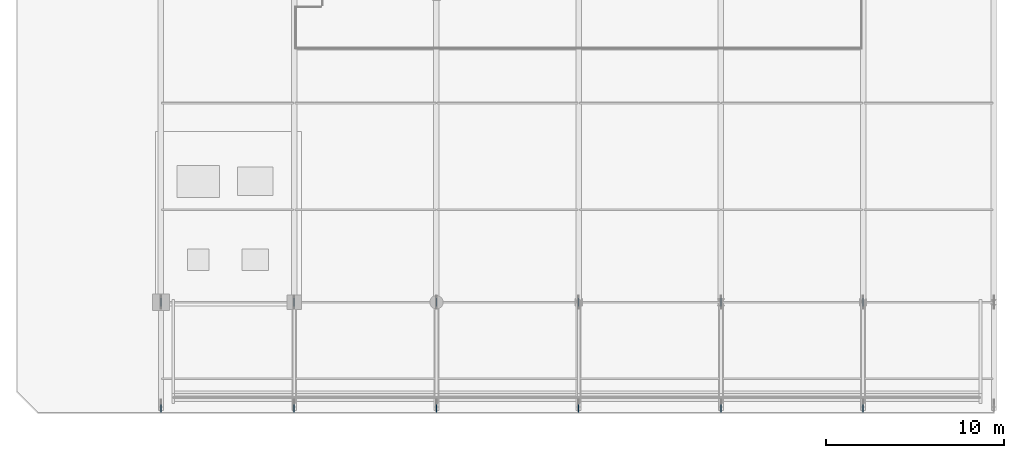
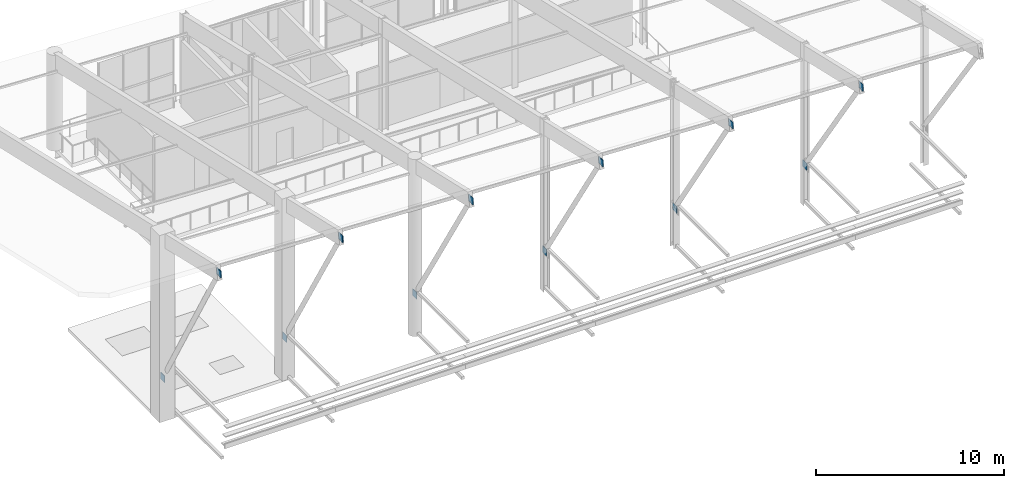
# One storey, part 41 of 51: 12 discrete accessories.
"""IFC4 building model written with IfcOpenShell, lengths in metres."""

from ifc_helpers import new_model, si_unit, direction, frame, origin, origin_2d, place, context, subcontext, project, spatial, rectangle, extrude, material, type_object, element, save


model = new_model("IFC4")

# Units and contexts
model_context = context("Model", 3, precision=1e-05, world=origin(), true_north=direction((0.0, 1.0)))
body_context = subcontext(model_context, "Body", "Model", "MODEL_VIEW")
ifc_project = project(units=[si_unit("LENGTHUNIT", "METRE"), si_unit("AREAUNIT", "SQUARE_METRE"), si_unit("VOLUMEUNIT", "CUBIC_METRE"), si_unit("PLANEANGLEUNIT", "RADIAN"), si_unit("MASSUNIT", "GRAM", prefix="KILO")], contexts=[model_context])

# Site, building, storey
site_placement = place(None, origin())
site = spatial("IfcSite", under=ifc_project, at=site_placement, CompositionType="ELEMENT")
building_placement = place(site_placement, origin())
building = spatial("IfcBuilding", under=site, at=building_placement, Name="Brisemont Oceanarium", CompositionType="ELEMENT")
storey_placement = place(building_placement, frame((0.0, 0.0, 15.0)))
storey = spatial("IfcBuildingStorey", under=building, at=storey_placement, Name="L03", CompositionType="ELEMENT", Elevation=15.0)

# Discrete accessories
ifc_material = material(Name="Structural Steel ASTM A572 Gr.50", Category="steel")
discrete_accessory_type = type_object("IfcDiscreteAccessoryType", Name="ACC-CAP-STL", PredefinedType="ANCHORPLATE", material=ifc_material)
for number, where, z_axis, x_axis, name in (
    (1, (8.5, 6.800048828125, 2.280029296875), (0.0, 0.0, 1.0), (1.0, 0.0, 0.0), "V2 overhang strut gusset connection 1 BASE"),
    (2, (8.5, 0.820068359375, 12.72265625), (0.0, 0.0, 1.0), (1.0, 0.0, 0.0), "V2 overhang strut gusset connection 1 TIP"),
    (3, (16.0, 6.800048828125, 2.280029296875), (0.0, 0.0, 1.0), (1.0, 0.0, 0.0), "V2 overhang strut gusset connection 2 BASE"),
    (4, (16.0, 0.820068359375, 12.40234375), (0.0, 0.0, 1.0), (1.0, 0.0, 0.0), "V2 overhang strut gusset connection 2 TIP"),
    (5, (24.0, 6.800048828125, 2.280029296875), (0.0, 0.0, 1.0), (1.0, 0.0, 0.0), "V2 overhang strut gusset connection 3 BASE"),
    (6, (24.0, 0.820068359375, 12.060546875), (0.0, 0.0, 1.0), (1.0, 0.0, 0.0), "V2 overhang strut gusset connection 3 TIP"),
    (7, (32.0, 6.800048828125, 2.280029296875), (0.0, 0.0, 1.0), (1.0, 0.0, 0.0), "V2 overhang strut gusset connection 4 BASE"),
    (8, (32.0, 0.820068359375, 11.718505859375), (0.0, 0.0, 1.0), (1.0, 0.0, 0.0), "V2 overhang strut gusset connection 4 TIP"),
    (9, (40.0, 6.800048828125, 2.280029296875), (0.0, 0.0, 1.0), (1.0, 0.0, 0.0), "V2 overhang strut gusset connection 5 BASE"),
    (10, (40.0, 0.820068359375, 11.376708984375), (0.0, 0.0, 1.0), (1.0, 0.0, 0.0), "V2 overhang strut gusset connection 5 TIP"),
    (11, (48.0, 6.800048828125, 2.280029296875), (0.0, 0.0, 1.0), (1.0, 0.0, 0.0), "V2 overhang strut gusset connection 6 BASE"),
    (12, (48.0, 0.820068359375, 11.034912109375), (0.0, 0.0, 1.0), (1.0, 0.0, 0.0), "V2 overhang strut gusset connection 6 TIP"),
):
    element("IfcDiscreteAccessory", number, at=place(storey_placement, frame(where, z_axis=z_axis, x_axis=x_axis)), inside=storey, type_object=discrete_accessory_type, Name=name, PredefinedType="ANCHORPLATE", context=body_context, shape_type="SweptSolid", body=[
        extrude(rectangle(XDim=0.031982421875, YDim=0.43994140625, at=origin_2d()), origin(), (0.0, 0.0, 1.0), 0.43994140625),
    ])

save(model, "model.ifc")
